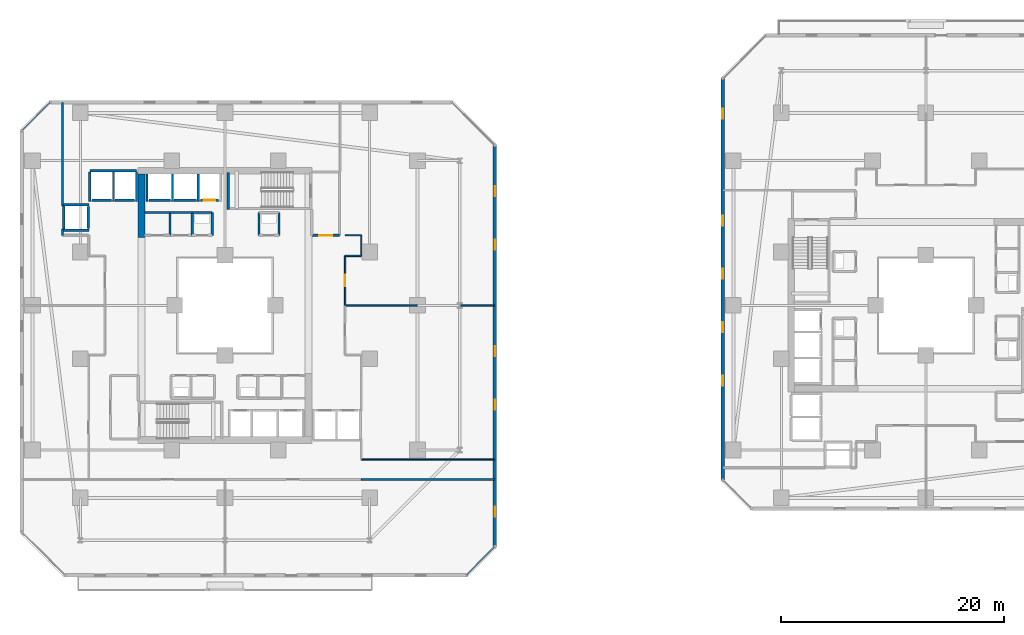
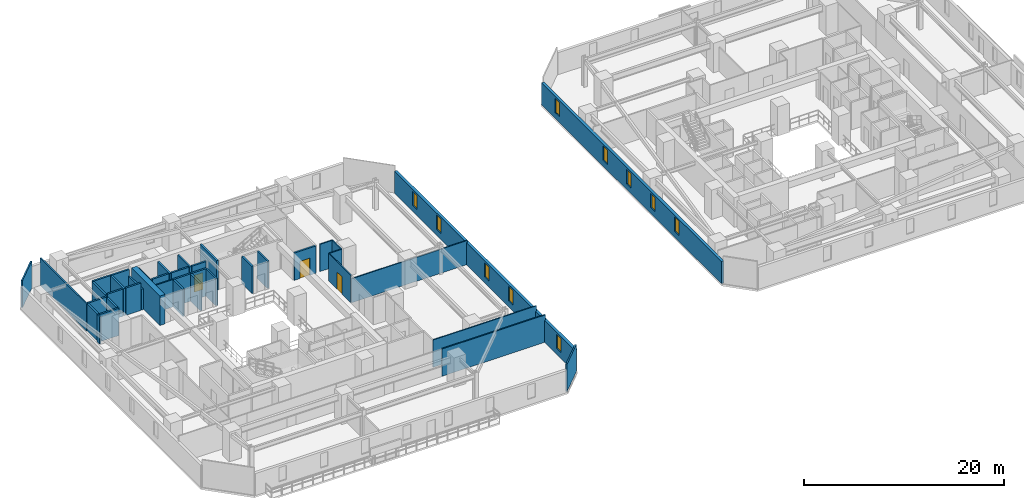
# One storey, part 22 of 34: 40 walls, 10 windows, 3 doors, 13 openings.
"""IFC4 building model written with IfcOpenShell, lengths in metres."""

from ifc_helpers import new_model, si_unit, direction, frame, frame_2d, origin, place, context, subcontext, project, spatial, rectangle, extrude, material, layer, layer_set, type_object, element, fill, save


model = new_model("IFC4")

# Units and contexts
model_context = context("Model", 3, precision=1e-05, world=origin(), true_north=direction((0.0, 1.0)))
body_context = subcontext(model_context, "Body", "Model", "MODEL_VIEW")
ifc_project = project(units=[si_unit("LENGTHUNIT", "METRE"), si_unit("AREAUNIT", "SQUARE_METRE"), si_unit("VOLUMEUNIT", "CUBIC_METRE"), si_unit("PLANEANGLEUNIT", "RADIAN"), si_unit("MASSUNIT", "GRAM", prefix="KILO")], contexts=[model_context])

# Site, building, storey
site_placement = place(None, origin())
site = spatial("IfcSite", under=ifc_project, at=site_placement, CompositionType="ELEMENT")
building_placement = place(site_placement, origin())
building = spatial("IfcBuilding", under=site, at=building_placement, Name="Thornwick Lancets Civic Towers", CompositionType="ELEMENT")
storey_placement = place(building_placement, frame((0.0, 0.0, 53.699951171875)))
storey = spatial("IfcBuildingStorey", under=building, at=storey_placement, Name="L13", CompositionType="ELEMENT", Elevation=53.699951171875)

# Wall, opening, door
ifc_material_1 = material(Name="Concrete blockwork C40/50", Category="masonry")
ifc_layer_1 = layer(ifc_material_1, 0.199951171875, Name="Concrete blockwork C40/50")
ifc_layer_set_1 = layer_set([ifc_layer_1], Name="Concrete blockwork C40/50")
wall_type_1 = type_object("IfcWallType", Name="WALL_COMP_200", PredefinedType="STANDARD", material=ifc_layer_set_1)
wall_1_placement = place(storey_placement, frame((24.919921875, 36.449951171875, 0.0), z_axis=(0.0, 0.0, 1.0), x_axis=(-1.0, 0.0, 0.0)))
wall_1 = element("IfcWall", 1, at=wall_1_placement, inside=storey, type_object=wall_type_1, Name="L13 Hoistway Front Wall FL-A2", PredefinedType="STANDARD", context=body_context, shape_type="SweptSolid", body=[
    extrude(rectangle(XDim=1.639892578125, YDim=0.199951171875, at=frame_2d((0.81982421875, 0.0))), origin(), (0.0, 0.0, 1.0), 3.340087890625),
])
opening_1_placement = place(wall_1_placement, frame((0.31005859375, 0.0, 0.0)))
opening_1 = element("IfcOpeningElement", 2, at=opening_1_placement, cuts=wall_1, Name="Opening LD-FL-A2", PredefinedType="OPENING", context=body_context, shape_type="SweptSolid", body=[
    extrude(rectangle(XDim=1.02001953125, YDim=2.06005859375, at=frame_2d((0.510009765625, 1.030029296875))), frame((0.0, 0.10986328125, 0.0), z_axis=(0.0, -1.0, 0.0), x_axis=(1.0, 0.0, 0.0)), (0.0, 0.0, 1.0), 0.219970703125),
])
ifc_material_2 = material(Name="Brushed bronze stainless steel", Category="steel")
door_type_1 = type_object("IfcDoorType", Name="DOOR_LIFT_SLIDE", OperationType="SLIDING_TO_LEFT", PredefinedType="DOOR", material=ifc_material_2)
door_1_placement = place(opening_1_placement, origin())
door_1 = element("IfcDoor", 3, at=door_1_placement, inside=storey, type_object=door_type_1, Name="L13 Sliding Lift Landing Door LD-FL-A2", OperationType="SLIDING_TO_LEFT", OverallHeight=2.06005859375, OverallWidth=1.02001953125, PredefinedType="DOOR", context=body_context, shape_type="SweptSolid", body=[
    extrude(rectangle(XDim=1.02001953125, YDim=2.06005859375, at=frame_2d((0.510009765625, 1.030029296875))), frame((0.0, 0.02490234375, 0.0), z_axis=(0.0, -1.0, 0.0), x_axis=(1.0, 0.0, 0.0)), (0.0, 0.0, 1.0), 0.050048828125),
])
fill(opening_1, door_1)

# Walls
wall_2_placement = place(storey_placement, frame((22.919921875, 36.449951171875, 0.0), z_axis=(0.0, 0.0, 1.0), x_axis=(-1.0, 0.0, 0.0)))
element("IfcWall", 4, at=wall_2_placement, inside=storey, type_object=wall_type_1, Name="L13 Hoistway Front Wall PL-AH2", PredefinedType="STANDARD", context=body_context, shape_type="SweptSolid", body=[
    extrude(rectangle(XDim=1.989990234375, YDim=0.199951171875, at=frame_2d((0.9951171875, 0.0))), origin(), (0.0, 0.0, 1.0), 3.340087890625),
])
wall_3_placement = place(storey_placement, frame((20.6201171875, 36.449951171875, 0.0), z_axis=(0.0, 0.0, 1.0), x_axis=(-1.0, 0.0, 0.0)))
element("IfcWall", 5, at=wall_3_placement, inside=storey, type_object=wall_type_1, Name="L13 Hoistway Front Wall PL-AH3", PredefinedType="STANDARD", context=body_context, shape_type="SweptSolid", body=[
    extrude(rectangle(XDim=1.940185546875, YDim=0.199951171875, at=frame_2d((0.97021484375, 0.0))), origin(), (0.0, 0.0, 1.0), 3.340087890625),
])
wall_4_placement = place(storey_placement, frame((17.3701171875, 36.449951171875, 0.0), z_axis=(0.0, 0.0, 1.0), x_axis=(-1.0, 0.0, 0.0)))
element("IfcWall", 6, at=wall_4_placement, inside=storey, type_object=wall_type_1, Name="L13 Hoistway Front Wall PL-AM1", PredefinedType="STANDARD", context=body_context, shape_type="SweptSolid", body=[
    extrude(rectangle(XDim=1.740234375, YDim=0.199951171875, at=frame_2d((0.8701171875, 0.0))), origin(), (0.0, 0.0, 1.0), 3.340087890625),
])
wall_5_placement = place(storey_placement, frame((15.320068359375, 36.449951171875, 0.0), z_axis=(0.0, 0.0, 1.0), x_axis=(-1.0, 0.0, 0.0)))
element("IfcWall", 7, at=wall_5_placement, inside=storey, type_object=wall_type_1, Name="L13 Hoistway Front Wall PL-AM2", PredefinedType="STANDARD", context=body_context, shape_type="SweptSolid", body=[
    extrude(rectangle(XDim=1.7900390625, YDim=0.199951171875, at=frame_2d((0.89501953125, 0.0))), origin(), (0.0, 0.0, 1.0), 3.340087890625),
])
wall_6_placement = place(storey_placement, frame((13.199951171875, 33.929931640625, 0.0), z_axis=(0.0, 0.0, 1.0), x_axis=(0.0, 1.0, 0.0)))
element("IfcWall", 8, at=wall_6_placement, inside=storey, type_object=wall_type_1, Name="L13 Hoistway Front Wall PL-AM3", PredefinedType="STANDARD", context=body_context, shape_type="SweptSolid", body=[
    extrude(rectangle(XDim=1.940185546875, YDim=0.199951171875, at=frame_2d((0.97021484375, 0.0))), origin(), (0.0, 0.0, 1.0), 3.340087890625),
])
for number, where, z_axis, x_axis, name in (
    (9, (23.10009765625, 36.35205078125, 0.0), (0.0, 0.0, 1.0), (0.0, 1.0, 0.0), "L13 Hoistway Shaft Wall FL-A2 W"),
    (10, (20.77490234375, 36.35205078125, 0.0), (0.0, 0.0, 1.0), (0.0, 1.0, 0.0), "L13 Hoistway Shaft Wall PL-AH2 W"),
    (11, (18.5, 36.35205078125, 0.0), (0.0, 0.0, 1.0), (0.0, 1.0, 0.0), "L13 Hoistway Shaft Wall PL-AH3 W"),
):
    element("IfcWall", number, at=place(storey_placement, frame(where, z_axis=z_axis, x_axis=x_axis)), inside=storey, type_object=wall_type_1, Name=name, PredefinedType="STANDARD", context=body_context, shape_type="SweptSolid", body=[
        extrude(rectangle(XDim=2.43603515625, YDim=0.199951171875, at=frame_2d((1.218017578125, 0.0))), origin(), (0.0, 0.0, 1.0), 3.340087890625),
    ])
wall_7_placement = place(storey_placement, frame((13.35205078125, 39.10009765625, 0.0), z_axis=(0.0, 0.0, 1.0), x_axis=(1.0, 0.0, 0.0)))
element("IfcWall", 12, at=wall_7_placement, inside=storey, type_object=wall_type_1, Name="L13 Hoistway Shaft Wall PL-AM1 N", PredefinedType="STANDARD", context=body_context, shape_type="SweptSolid", body=[
    extrude(rectangle(XDim=4.196044921875, YDim=0.199951171875, at=frame_2d((2.09814453125, 0.0))), origin(), (0.0, 0.0, 1.0), 3.340087890625),
])
wall_8_placement = place(storey_placement, frame((17.550048828125, 36.35205078125, 0.0), z_axis=(0.0, 0.0, 1.0), x_axis=(0.0, 1.0, 0.0)))
element("IfcWall", 13, at=wall_8_placement, inside=storey, type_object=wall_type_1, Name="L13 Hoistway Shaft Wall PL-AM1 E", PredefinedType="STANDARD", context=body_context, shape_type="SweptSolid", body=[
    extrude(rectangle(XDim=2.635986328125, YDim=0.199951171875, at=frame_2d((1.31787109375, 0.0))), origin(), (0.0, 0.0, 1.0), 2.545166015625),
])
for number, where, z_axis, x_axis, name in (
    (14, (15.47509765625, 36.35205078125, 0.0), (0.0, 0.0, 1.0), (0.0, 1.0, 0.0), "L13 Hoistway Shaft Wall PL-AM1 W"),
    (15, (13.35009765625, 36.35205078125, 0.0), (0.0, 0.0, 1.0), (0.0, 1.0, 0.0), "L13 Hoistway Shaft Wall PL-AM2 W"),
):
    element("IfcWall", number, at=place(storey_placement, frame(where, z_axis=z_axis, x_axis=x_axis)), inside=storey, type_object=wall_type_1, Name=name, PredefinedType="STANDARD", context=body_context, shape_type="SweptSolid", body=[
        extrude(rectangle(XDim=2.635986328125, YDim=0.199951171875, at=frame_2d((1.31787109375, 0.0))), origin(), (0.0, 0.0, 1.0), 3.340087890625),
    ])
for number, where, z_axis, x_axis, name in (
    (16, (11.001953125, 36.050048828125, 0.0), (0.0, 0.0, 1.0), (1.0, 0.0, 0.0), "L13 Hoistway Shaft Wall PL-AM3 N"),
    (17, (11.001953125, 33.75, 0.0), (0.0, 0.0, 1.0), (1.0, 0.0, 0.0), "L13 Hoistway Shaft Wall PL-AM3 S"),
):
    element("IfcWall", number, at=place(storey_placement, frame(where, z_axis=z_axis, x_axis=x_axis)), inside=storey, type_object=wall_type_1, Name=name, PredefinedType="STANDARD", context=body_context, shape_type="SweptSolid", body=[
        extrude(rectangle(XDim=2.296142578125, YDim=0.199951171875, at=frame_2d((1.14794921875, 0.0))), origin(), (0.0, 0.0, 1.0), 3.340087890625),
    ])
wall_9_placement = place(storey_placement, frame((11.0, 33.862060546875, 0.0), z_axis=(0.0, 0.0, 1.0), x_axis=(0.0, 1.0, 0.0)))
element("IfcWall", 18, at=wall_9_placement, inside=storey, type_object=wall_type_1, Name="L13 Hoistway Shaft Wall PL-AM3 W", PredefinedType="STANDARD", context=body_context, shape_type="SweptSolid", body=[
    extrude(rectangle(XDim=2.075927734375, YDim=0.199951171875, at=frame_2d((1.0380859375, 0.0))), origin(), (0.0, 0.0, 1.0), 3.340087890625),
])

# Wall, opening, door
wall_10_placement = place(storey_placement, frame((33.300048828125, 33.300048828125, 0.0), z_axis=(0.0, 0.0, 1.0), x_axis=(1.0, 0.0, 0.0)))
wall_10 = element("IfcWall", 19, at=wall_10_placement, inside=storey, type_object=wall_type_1, Name="L13 Partition L13-A-FFLOB2 E1", PredefinedType="STANDARD", context=body_context, shape_type="SweptSolid", body=[
    extrude(rectangle(XDim=2.5, YDim=0.199951171875, at=frame_2d((1.25, 0.0))), origin(), (0.0, 0.0, 1.0), 3.340087890625),
])
opening_2_placement = place(wall_10_placement, frame((0.675048828125, 0.0, 0.0)))
opening_2 = element("IfcOpeningElement", 20, at=opening_2_placement, cuts=wall_10, Name="Opening D-L13-0626", PredefinedType="OPENING", context=body_context, shape_type="SweptSolid", body=[
    extrude(rectangle(XDim=1.14990234375, YDim=2.10009765625, at=frame_2d((0.574951171875, 1.050048828125))), frame((0.0, 0.10986328125, 0.0), z_axis=(0.0, -1.0, 0.0), x_axis=(1.0, 0.0, 0.0)), (0.0, 0.0, 1.0), 0.219970703125),
])
ifc_material_3 = material(Name="Glazed fire-resisting steel", Category="steel")
door_type_2 = type_object("IfcDoorType", Name="DOOR_LOBBY_FD60", OperationType="NOTDEFINED", PredefinedType="DOOR", material=ifc_material_3)
door_2_placement = place(opening_2_placement, origin())
door_2 = element("IfcDoor", 21, at=door_2_placement, inside=storey, type_object=door_type_2, Name="L13 North Firefighting Lobby 2 Door", OperationType="SINGLE_SWING_LEFT", OverallHeight=2.10009765625, OverallWidth=1.14990234375, PredefinedType="DOOR", context=body_context, shape_type="SweptSolid", body=[
    extrude(rectangle(XDim=1.14990234375, YDim=2.10009765625, at=frame_2d((0.574951171875, 1.050048828125))), frame((0.0, 0.02490234375, 0.0), z_axis=(0.0, -1.0, 0.0), x_axis=(1.0, 0.0, 0.0)), (0.0, 0.0, 1.0), 0.050048828125),
])
fill(opening_2, door_2)

# Walls
wall_11_placement = place(storey_placement, frame((24.35009765625, 33.300048828125, 0.0), z_axis=(0.0, 0.0, 1.0), x_axis=(0.0, 1.0, 0.0)))
element("IfcWall", 22, at=wall_11_placement, inside=storey, type_object=wall_type_1, Name="L13 Partition L13-A-DUCT2 E2", PredefinedType="STANDARD", context=body_context, shape_type="SweptSolid", body=[
    extrude(rectangle(XDim=2.050048828125, YDim=0.199951171875, at=frame_2d((1.02490234375, 0.0))), origin(), (0.0, 0.0, 1.0), 3.340087890625),
])
wall_12_placement = place(storey_placement, frame((24.35009765625, 35.35009765625, 0.0), z_axis=(0.0, 0.0, 1.0), x_axis=(-1.0, 0.0, 0.0)))
element("IfcWall", 23, at=wall_12_placement, inside=storey, type_object=wall_type_1, Name="L13 Partition L13-A-DUCT2 E3", PredefinedType="STANDARD", context=body_context, shape_type="SweptSolid", body=[
    extrude(rectangle(XDim=1.800048828125, YDim=0.199951171875, at=frame_2d((0.89990234375, 0.0))), origin(), (0.0, 0.0, 1.0), 3.340087890625),
])
for number, where, z_axis, x_axis, name in (
    (24, (22.550048828125, 35.35009765625, 0.0), (0.0, 0.0, 1.0), (0.0, -1.0, 0.0), "L13 Partition L13-A-DUCT2 E4"),
    (25, (30.35009765625, 33.300048828125, 0.0), (0.0, 0.0, 1.0), (0.0, 1.0, 0.0), "L13 Partition L13-A-RISER2 E2"),
    (26, (28.550048828125, 35.35009765625, 0.0), (0.0, 0.0, 1.0), (0.0, -1.0, 0.0), "L13 Partition L13-A-RISER2 E4"),
    (27, (20.550048828125, 33.300048828125, 0.0), (0.0, 0.0, 1.0), (0.0, 1.0, 0.0), "L13 Partition L13-A-STR E1"),
):
    element("IfcWall", number, at=place(storey_placement, frame(where, z_axis=z_axis, x_axis=x_axis)), inside=storey, type_object=wall_type_1, Name=name, PredefinedType="STANDARD", context=body_context, shape_type="SweptSolid", body=[
        extrude(rectangle(XDim=2.050048828125, YDim=0.199951171875, at=frame_2d((1.02490234375, 0.0))), origin(), (0.0, 0.0, 1.0), 3.340087890625),
    ])
wall_13_placement = place(storey_placement, frame((20.550048828125, 35.35009765625, 0.0), z_axis=(0.0, 0.0, 1.0), x_axis=(1.0, 0.0, 0.0)))
element("IfcWall", 28, at=wall_13_placement, inside=storey, type_object=wall_type_1, Name="L13 Partition L13-A-STR E2", PredefinedType="STANDARD", context=body_context, shape_type="SweptSolid", body=[
    extrude(rectangle(XDim=2.0, YDim=0.199951171875, at=frame_2d((1.0, 0.0))), origin(), (0.0, 0.0, 1.0), 3.340087890625),
])
ifc_material_4 = material(Name="Concrete C60/75", Category="concrete")
ifc_layer_2 = layer(ifc_material_4, 0.60009765625, Name="Concrete C60/75")
ifc_layer_set_2 = layer_set([ifc_layer_2], Name="Concrete C60/75")
wall_type_2 = type_object("IfcWallType", Name="WALL_CORE_600", PredefinedType="SHEAR", material=ifc_layer_set_2)
wall_14_placement = place(storey_placement, frame((18.0, 33.10009765625, 0.0), z_axis=(0.0, 0.0, 1.0), x_axis=(0.0, 1.0, 0.0)))
element("IfcWall", 29, at=wall_14_placement, inside=storey, type_object=wall_type_2, Name="L13 Split Core A2 Shear Wall W", PredefinedType="SHEAR", context=body_context, shape_type="SweptSolid", body=[
    extrude(rectangle(XDim=5.699951171875, YDim=0.60009765625, at=frame_2d((2.85009765625, 0.0))), origin(), (0.0, 0.0, 1.0), 3.60009765625),
])

# Wall, openings, windows
ifc_material_5 = material(Name="Insulated buff terracotta rainscreen on concrete C40/50", Category="masonry")
ifc_layer_3 = layer(ifc_material_5, 0.320068359375, Name="Insulated buff terracotta rainscreen on concrete C40/50")
ifc_layer_set_3 = layer_set([ifc_layer_3], Name="Insulated buff terracotta rainscreen on concrete C40/50")
wall_type_3 = type_object("IfcWallType", Name="WALL_EXT_TERRA_320", PredefinedType="STANDARD", material=ifc_layer_set_3)
wall_15_placement = place(storey_placement, frame((49.764892578125, 5.31884765625, 0.0), z_axis=(0.0, 0.0, 1.0), x_axis=(-0.000121872777, 0.999999992574, 0.0)))
wall_15 = element("IfcWall", 30, at=wall_15_placement, inside=storey, type_object=wall_type_3, Name="L13 Tower A Terracotta Facade Wall E2", PredefinedType="STANDARD", context=body_context, shape_type="SweptSolid", body=[
    extrude(rectangle(XDim=36.058349609375, YDim=0.320068359375, at=frame_2d((18.029296875, 0.0))), origin(), (0.0, 0.0, 1.0), 2.699951171875),
])
opening_3_placement = place(wall_15_placement, frame((2.699951171875, 0.0, 0.719970703125)))
opening_3 = element("IfcOpeningElement", 31, at=opening_3_placement, cuts=wall_15, Name="Opening WL-01", PredefinedType="OPENING", context=body_context, shape_type="SweptSolid", body=[
    extrude(rectangle(XDim=0.89990234375, YDim=1.75, at=frame_2d((0.449951171875, 0.875))), frame((0.0, 0.169921875, 0.0), z_axis=(0.0, -1.0, 0.0), x_axis=(1.0, 0.0, 0.0)), (0.0, 0.0, 1.0), 0.340087890625),
])
opening_4_placement = place(wall_15_placement, frame((12.300048828125, 0.0, 0.719970703125)))
opening_4 = element("IfcOpeningElement", 32, at=opening_4_placement, cuts=wall_15, Name="Opening WL-01", PredefinedType="OPENING", context=body_context, shape_type="SweptSolid", body=[
    extrude(rectangle(XDim=0.89990234375, YDim=1.75, at=frame_2d((0.449951171875, 0.875))), frame((0.0, 0.169921875, 0.0), z_axis=(0.0, -1.0, 0.0), x_axis=(1.0, 0.0, 0.0)), (0.0, 0.0, 1.0), 0.340087890625),
])
opening_5_placement = place(wall_15_placement, frame((17.10009765625, 0.0, 0.719970703125)))
opening_5 = element("IfcOpeningElement", 33, at=opening_5_placement, cuts=wall_15, Name="Opening WL-01", PredefinedType="OPENING", context=body_context, shape_type="SweptSolid", body=[
    extrude(rectangle(XDim=0.89990234375, YDim=1.75, at=frame_2d((0.449951171875, 0.875))), frame((0.0, 0.169921875, 0.0), z_axis=(0.0, -1.0, 0.0), x_axis=(1.0, 0.0, 0.0)), (0.0, 0.0, 1.0), 0.340087890625),
])
opening_6_placement = place(wall_15_placement, frame((26.699951171875, 0.0, 0.719970703125)))
opening_6 = element("IfcOpeningElement", 34, at=opening_6_placement, cuts=wall_15, Name="Opening WL-01", PredefinedType="OPENING", context=body_context, shape_type="SweptSolid", body=[
    extrude(rectangle(XDim=0.89990234375, YDim=1.75, at=frame_2d((0.449951171875, 0.875))), frame((0.0, 0.169921875, 0.0), z_axis=(0.0, -1.0, 0.0), x_axis=(1.0, 0.0, 0.0)), (0.0, 0.0, 1.0), 0.340087890625),
])
opening_7_placement = place(wall_15_placement, frame((31.5, 0.0, 0.719970703125)))
opening_7 = element("IfcOpeningElement", 35, at=opening_7_placement, cuts=wall_15, Name="Opening WL-01", PredefinedType="OPENING", context=body_context, shape_type="SweptSolid", body=[
    extrude(rectangle(XDim=0.89990234375, YDim=1.75, at=frame_2d((0.449951171875, 0.875))), frame((0.0, 0.169921875, 0.0), z_axis=(0.0, -1.0, 0.0), x_axis=(1.0, 0.0, 0.0)), (0.0, 0.0, 1.0), 0.340087890625),
])
ifc_material_6 = material(Name="Clear low-e double glazing in bronze frame", Category="glass")
window_type = type_object("IfcWindowType", Name="WIN_LANCET_900", PartitioningType="SINGLE_PANEL", PredefinedType="WINDOW", material=ifc_material_6)
window_1_placement = place(opening_3_placement, origin())
window_1 = element("IfcWindow", 36, at=window_1_placement, inside=storey, type_object=window_type, Name="L13 Tower A Staggered Lancet Window E2-1", OverallHeight=1.75, OverallWidth=0.89990234375, PartitioningType="SINGLE_PANEL", PredefinedType="WINDOW", context=body_context, shape_type="SweptSolid", body=[
    extrude(rectangle(XDim=0.89990234375, YDim=1.75, at=frame_2d((0.449951171875, 0.875))), frame((0.0, 0.030029296875, 0.0), z_axis=(0.0, -1.0, 0.0), x_axis=(1.0, 0.0, 0.0)), (0.0, 0.0, 1.0), 0.06005859375),
])
fill(opening_3, window_1)
window_2_placement = place(opening_4_placement, origin())
window_2 = element("IfcWindow", 37, at=window_2_placement, inside=storey, type_object=window_type, Name="L13 Tower A Staggered Lancet Window E2-2", OverallHeight=1.75, OverallWidth=0.89990234375, PartitioningType="SINGLE_PANEL", PredefinedType="WINDOW", context=body_context, shape_type="SweptSolid", body=[
    extrude(rectangle(XDim=0.89990234375, YDim=1.75, at=frame_2d((0.449951171875, 0.875))), frame((0.0, 0.030029296875, 0.0), z_axis=(0.0, -1.0, 0.0), x_axis=(1.0, 0.0, 0.0)), (0.0, 0.0, 1.0), 0.06005859375),
])
fill(opening_4, window_2)
window_3_placement = place(opening_5_placement, origin())
window_3 = element("IfcWindow", 38, at=window_3_placement, inside=storey, type_object=window_type, Name="L13 Tower A Staggered Lancet Window E2-3", OverallHeight=1.75, OverallWidth=0.89990234375, PartitioningType="SINGLE_PANEL", PredefinedType="WINDOW", context=body_context, shape_type="SweptSolid", body=[
    extrude(rectangle(XDim=0.89990234375, YDim=1.75, at=frame_2d((0.449951171875, 0.875))), frame((0.0, 0.030029296875, 0.0), z_axis=(0.0, -1.0, 0.0), x_axis=(1.0, 0.0, 0.0)), (0.0, 0.0, 1.0), 0.06005859375),
])
fill(opening_5, window_3)
window_4_placement = place(opening_6_placement, origin())
window_4 = element("IfcWindow", 39, at=window_4_placement, inside=storey, type_object=window_type, Name="L13 Tower A Staggered Lancet Window E2-4", OverallHeight=1.75, OverallWidth=0.89990234375, PartitioningType="SINGLE_PANEL", PredefinedType="WINDOW", context=body_context, shape_type="SweptSolid", body=[
    extrude(rectangle(XDim=0.89990234375, YDim=1.75, at=frame_2d((0.449951171875, 0.875))), frame((0.0, 0.030029296875, 0.0), z_axis=(0.0, -1.0, 0.0), x_axis=(1.0, 0.0, 0.0)), (0.0, 0.0, 1.0), 0.06005859375),
])
fill(opening_6, window_4)
window_5_placement = place(opening_7_placement, origin())
window_5 = element("IfcWindow", 40, at=window_5_placement, inside=storey, type_object=window_type, Name="L13 Tower A Staggered Lancet Window E2-5", OverallHeight=1.75, OverallWidth=0.89990234375, PartitioningType="SINGLE_PANEL", PredefinedType="WINDOW", context=body_context, shape_type="SweptSolid", body=[
    extrude(rectangle(XDim=0.89990234375, YDim=1.75, at=frame_2d((0.449951171875, 0.875))), frame((0.0, 0.030029296875, 0.0), z_axis=(0.0, -1.0, 0.0), x_axis=(1.0, 0.0, 0.0)), (0.0, 0.0, 1.0), 0.06005859375),
])
fill(opening_7, window_5)

wall_16_placement = place(storey_placement, frame((70.239501953125, 47.377197265625, 0.0), z_axis=(0.0, 0.0, 1.0), x_axis=(-0.000121872777, -0.999999992574, 0.0)))
wall_16 = element("IfcWall", 41, at=wall_16_placement, inside=storey, type_object=wall_type_3, Name="L13 Tower B Terracotta Facade Wall E6", PredefinedType="STANDARD", context=body_context, shape_type="SweptSolid", body=[
    extrude(rectangle(XDim=36.058349609375, YDim=0.320068359375, at=frame_2d((18.029296875, 0.0))), origin(), (0.0, 0.0, 1.0), 2.699951171875),
])
opening_8_placement = place(wall_16_placement, frame((2.699951171875, 0.0, 0.719970703125)))
opening_8 = element("IfcOpeningElement", 42, at=opening_8_placement, cuts=wall_16, Name="Opening WL-01", PredefinedType="OPENING", context=body_context, shape_type="SweptSolid", body=[
    extrude(rectangle(XDim=0.89990234375, YDim=1.75, at=frame_2d((0.449951171875, 0.875))), frame((0.0, 0.169921875, 0.0), z_axis=(0.0, -1.0, 0.0), x_axis=(1.0, 0.0, 0.0)), (0.0, 0.0, 1.0), 0.340087890625),
])
opening_9_placement = place(wall_16_placement, frame((12.300048828125, 0.0, 0.719970703125)))
opening_9 = element("IfcOpeningElement", 43, at=opening_9_placement, cuts=wall_16, Name="Opening WL-01", PredefinedType="OPENING", context=body_context, shape_type="SweptSolid", body=[
    extrude(rectangle(XDim=0.89990234375, YDim=1.75, at=frame_2d((0.449951171875, 0.875))), frame((0.0, 0.169921875, 0.0), z_axis=(0.0, -1.0, 0.0), x_axis=(1.0, 0.0, 0.0)), (0.0, 0.0, 1.0), 0.340087890625),
])
opening_10_placement = place(wall_16_placement, frame((17.10009765625, 0.0, 0.719970703125)))
opening_10 = element("IfcOpeningElement", 44, at=opening_10_placement, cuts=wall_16, Name="Opening WL-01", PredefinedType="OPENING", context=body_context, shape_type="SweptSolid", body=[
    extrude(rectangle(XDim=0.89990234375, YDim=1.75, at=frame_2d((0.449951171875, 0.875))), frame((0.0, 0.169921875, 0.0), z_axis=(0.0, -1.0, 0.0), x_axis=(1.0, 0.0, 0.0)), (0.0, 0.0, 1.0), 0.340087890625),
])
opening_11_placement = place(wall_16_placement, frame((21.89990234375, 0.0, 0.719970703125)))
opening_11 = element("IfcOpeningElement", 45, at=opening_11_placement, cuts=wall_16, Name="Opening WL-01", PredefinedType="OPENING", context=body_context, shape_type="SweptSolid", body=[
    extrude(rectangle(XDim=0.89990234375, YDim=1.75, at=frame_2d((0.449951171875, 0.875))), frame((0.0, 0.169921875, 0.0), z_axis=(0.0, -1.0, 0.0), x_axis=(1.0, 0.0, 0.0)), (0.0, 0.0, 1.0), 0.340087890625),
])
opening_12_placement = place(wall_16_placement, frame((26.699951171875, 0.0, 0.719970703125)))
opening_12 = element("IfcOpeningElement", 46, at=opening_12_placement, cuts=wall_16, Name="Opening WL-01", PredefinedType="OPENING", context=body_context, shape_type="SweptSolid", body=[
    extrude(rectangle(XDim=0.89990234375, YDim=1.75, at=frame_2d((0.449951171875, 0.875))), frame((0.0, 0.169921875, 0.0), z_axis=(0.0, -1.0, 0.0), x_axis=(1.0, 0.0, 0.0)), (0.0, 0.0, 1.0), 0.340087890625),
])
window_6_placement = place(opening_8_placement, origin())
window_6 = element("IfcWindow", 47, at=window_6_placement, inside=storey, type_object=window_type, Name="L13 Tower B Staggered Lancet Window E6-1", OverallHeight=1.75, OverallWidth=0.89990234375, PartitioningType="SINGLE_PANEL", PredefinedType="WINDOW", context=body_context, shape_type="SweptSolid", body=[
    extrude(rectangle(XDim=0.89990234375, YDim=1.75, at=frame_2d((0.449951171875, 0.875))), frame((0.0, 0.030029296875, 0.0), z_axis=(0.0, -1.0, 0.0), x_axis=(1.0, 0.0, 0.0)), (0.0, 0.0, 1.0), 0.06005859375),
])
fill(opening_8, window_6)
window_7_placement = place(opening_9_placement, origin())
window_7 = element("IfcWindow", 48, at=window_7_placement, inside=storey, type_object=window_type, Name="L13 Tower B Staggered Lancet Window E6-2", OverallHeight=1.75, OverallWidth=0.89990234375, PartitioningType="SINGLE_PANEL", PredefinedType="WINDOW", context=body_context, shape_type="SweptSolid", body=[
    extrude(rectangle(XDim=0.89990234375, YDim=1.75, at=frame_2d((0.449951171875, 0.875))), frame((0.0, 0.030029296875, 0.0), z_axis=(0.0, -1.0, 0.0), x_axis=(1.0, 0.0, 0.0)), (0.0, 0.0, 1.0), 0.06005859375),
])
fill(opening_9, window_7)
window_8_placement = place(opening_10_placement, origin())
window_8 = element("IfcWindow", 49, at=window_8_placement, inside=storey, type_object=window_type, Name="L13 Tower B Staggered Lancet Window E6-3", OverallHeight=1.75, OverallWidth=0.89990234375, PartitioningType="SINGLE_PANEL", PredefinedType="WINDOW", context=body_context, shape_type="SweptSolid", body=[
    extrude(rectangle(XDim=0.89990234375, YDim=1.75, at=frame_2d((0.449951171875, 0.875))), frame((0.0, 0.030029296875, 0.0), z_axis=(0.0, -1.0, 0.0), x_axis=(1.0, 0.0, 0.0)), (0.0, 0.0, 1.0), 0.06005859375),
])
fill(opening_10, window_8)
window_9_placement = place(opening_11_placement, origin())
window_9 = element("IfcWindow", 50, at=window_9_placement, inside=storey, type_object=window_type, Name="L13 Tower B Staggered Lancet Window E6-4", OverallHeight=1.75, OverallWidth=0.89990234375, PartitioningType="SINGLE_PANEL", PredefinedType="WINDOW", context=body_context, shape_type="SweptSolid", body=[
    extrude(rectangle(XDim=0.89990234375, YDim=1.75, at=frame_2d((0.449951171875, 0.875))), frame((0.0, 0.030029296875, 0.0), z_axis=(0.0, -1.0, 0.0), x_axis=(1.0, 0.0, 0.0)), (0.0, 0.0, 1.0), 0.06005859375),
])
fill(opening_11, window_9)
window_10_placement = place(opening_12_placement, origin())
window_10 = element("IfcWindow", 51, at=window_10_placement, inside=storey, type_object=window_type, Name="L13 Tower B Staggered Lancet Window E6-5", OverallHeight=1.75, OverallWidth=0.89990234375, PartitioningType="SINGLE_PANEL", PredefinedType="WINDOW", context=body_context, shape_type="SweptSolid", body=[
    extrude(rectangle(XDim=0.89990234375, YDim=1.75, at=frame_2d((0.449951171875, 0.875))), frame((0.0, 0.030029296875, 0.0), z_axis=(0.0, -1.0, 0.0), x_axis=(1.0, 0.0, 0.0)), (0.0, 0.0, 1.0), 0.06005859375),
])
fill(opening_12, window_10)

# Walls
ifc_material_7 = material(Name="Acoustic gypsum board partition")
ifc_layer_4 = layer(ifc_material_7, 0.1201171875, Name="Acoustic gypsum board partition")
ifc_layer_set_4 = layer_set([ifc_layer_4], Name="Acoustic gypsum board partition")
wall_type_4 = type_object("IfcWallType", Name="WALL_PART_120", PredefinedType="PARTITIONING", material=ifc_layer_set_4)
wall_17_placement = place(storey_placement, frame((36.300048828125, 27.0, 0.0), z_axis=(0.0, 0.0, 1.0), x_axis=(1.0, 0.0, 0.0)))
element("IfcWall", 52, at=wall_17_placement, inside=storey, type_object=wall_type_4, Name="L13 Partition L13-A-E1 E5", PredefinedType="PARTITIONING", context=body_context, shape_type="SweptSolid", body=[
    extrude(rectangle(XDim=13.419921875, YDim=0.1201171875, at=frame_2d((6.7099609375, 0.0))), origin(), (0.0, 0.0, 1.0), 2.93212890625),
])
wall_18_placement = place(storey_placement, frame((49.719970703125, 13.14990234375, 0.0), z_axis=(0.0, 0.0, 1.0), x_axis=(-1.0, 0.0, 0.0)))
element("IfcWall", 53, at=wall_18_placement, inside=storey, type_object=wall_type_4, Name="L13 Partition L13-A-E1 E7", PredefinedType="PARTITIONING", context=body_context, shape_type="SweptSolid", body=[
    extrude(rectangle(XDim=11.969970703125, YDim=0.1201171875, at=frame_2d((5.98486328125, 0.0))), origin(), (0.0, 0.0, 1.0), 3.340087890625),
])
wall_19_placement = place(storey_placement, frame((36.300048828125, 31.449951171875, 0.0), z_axis=(0.0, 0.0, 1.0), x_axis=(1.0, 0.0, 0.0)))
element("IfcWall", 54, at=wall_19_placement, inside=storey, type_object=wall_type_4, Name="L13 Partition L13-A-E2 E1", PredefinedType="PARTITIONING", context=body_context, shape_type="SweptSolid", body=[
    extrude(rectangle(XDim=1.449951171875, YDim=0.1201171875, at=frame_2d((0.72509765625, 0.0))), origin(), (0.0, 0.0, 1.0), 3.340087890625),
])
wall_20_placement = place(storey_placement, frame((37.75, 31.449951171875, 0.0), z_axis=(0.0, 0.0, 1.0), x_axis=(0.0, 1.0, 0.0)))
element("IfcWall", 55, at=wall_20_placement, inside=storey, type_object=wall_type_4, Name="L13 Partition L13-A-E2 E2", PredefinedType="PARTITIONING", context=body_context, shape_type="SweptSolid", body=[
    extrude(rectangle(XDim=1.85009765625, YDim=0.1201171875, at=frame_2d((0.925048828125, 0.0))), origin(), (0.0, 0.0, 1.0), 3.340087890625),
])
wall_21_placement = place(storey_placement, frame((37.75, 33.300048828125, 0.0), z_axis=(0.0, 0.0, 1.0), x_axis=(-1.0, 0.0, 0.0)))
element("IfcWall", 56, at=wall_21_placement, inside=storey, type_object=wall_type_4, Name="L13 Partition L13-A-E2 E3", PredefinedType="PARTITIONING", context=body_context, shape_type="SweptSolid", body=[
    extrude(rectangle(XDim=1.449951171875, YDim=0.1201171875, at=frame_2d((0.72509765625, 0.0))), origin(), (0.0, 0.0, 1.0), 3.340087890625),
])

# Wall, opening, door
wall_22_placement = place(storey_placement, frame((36.300048828125, 27.0, 0.0), z_axis=(0.0, 0.0, 1.0), x_axis=(0.0, 1.0, 0.0)))
wall_22 = element("IfcWall", 57, at=wall_22_placement, inside=storey, type_object=wall_type_4, Name="L13 Partition L13-A-E2 E10", PredefinedType="PARTITIONING", context=body_context, shape_type="SweptSolid", body=[
    extrude(rectangle(XDim=4.449951171875, YDim=0.1201171875, at=frame_2d((2.22509765625, 0.0))), origin(), (0.0, 0.0, 1.0), 3.340087890625),
])
opening_13_placement = place(wall_22_placement, frame((1.699951171875, 0.0, 0.0)))
opening_13 = element("IfcOpeningElement", 58, at=opening_13_placement, cuts=wall_22, Name="Opening D-L13-0650", PredefinedType="OPENING", context=body_context, shape_type="SweptSolid", body=[
    extrude(rectangle(XDim=1.050048828125, YDim=2.10009765625, at=frame_2d((0.52490234375, 1.050048828125))), frame((0.0, 0.070068359375, 0.0), z_axis=(0.0, -1.0, 0.0), x_axis=(1.0, 0.0, 0.0)), (0.0, 0.0, 1.0), 0.14013671875),
])
ifc_material_8 = material(Name="Glazed European oak executive doorset")
door_type_3 = type_object("IfcDoorType", Name="DOOR_OFFICE_1050", OperationType="NOTDEFINED", PredefinedType="DOOR", material=ifc_material_8)
door_3_placement = place(opening_13_placement, origin())
door_3 = element("IfcDoor", 59, at=door_3_placement, inside=storey, type_object=door_type_3, Name="L13 Tower A Visitors Reception and Waiting Door", OperationType="SINGLE_SWING_LEFT", OverallHeight=2.10009765625, OverallWidth=1.050048828125, PredefinedType="DOOR", context=body_context, shape_type="SweptSolid", body=[
    extrude(rectangle(XDim=1.050048828125, YDim=2.10009765625, at=frame_2d((0.52490234375, 1.050048828125))), frame((0.0, 0.02490234375, 0.0), z_axis=(0.0, -1.0, 0.0), x_axis=(1.0, 0.0, 0.0)), (0.0, 0.0, 1.0), 0.050048828125),
])
fill(opening_13, door_3)

# Walls
ifc_material_9 = material(Name="Twin-stud acoustic gypsum board")
ifc_layer_5 = layer(ifc_material_9, 0.14990234375, Name="Twin-stud acoustic gypsum board")
ifc_layer_set_5 = layer_set([ifc_layer_5], Name="Twin-stud acoustic gypsum board")
wall_type_5 = type_object("IfcWallType", Name="WALL_PART_150", PredefinedType="PARTITIONING", material=ifc_layer_set_5)
wall_23_placement = place(storey_placement, frame((20.550048828125, 35.35009765625, 0.0), z_axis=(0.0, 0.0, 1.0), x_axis=(-1.0, 0.0, 0.0)))
element("IfcWall", 60, at=wall_23_placement, inside=storey, type_object=wall_type_5, Name="L13 Partition L13-A-AWC E3", PredefinedType="PARTITIONING", context=body_context, shape_type="SweptSolid", body=[
    extrude(rectangle(XDim=2.25, YDim=0.14990234375, at=frame_2d((1.125, 0.0))), origin(), (0.0, 0.0, 1.0), 3.340087890625),
])
wall_24_placement = place(storey_placement, frame((7.280029296875, 42.725341796875, 0.0), z_axis=(0.0, 0.0, 1.0), x_axis=(0.707106781187, 0.707106781187, 0.0)))
element("IfcWall", 61, at=wall_24_placement, inside=storey, type_object=wall_type_5, Name="L13 Partition L13-A-W2 E7", PredefinedType="PARTITIONING", context=body_context, shape_type="SweptSolid", body=[
    extrude(rectangle(XDim=3.52783203125, YDim=0.14990234375, at=frame_2d((1.763916015625, 0.0))), origin(), (0.0, 0.0, 1.0), 3.340087890625),
])
wall_25_placement = place(storey_placement, frame((10.89990234375, 45.219970703125, 0.0), z_axis=(0.0, 0.0, 1.0), x_axis=(0.0, -1.0, 0.0)))
element("IfcWall", 62, at=wall_25_placement, inside=storey, type_object=wall_type_5, Name="L13 Partition L13-A-W2 E9", PredefinedType="PARTITIONING", context=body_context, shape_type="SweptSolid", body=[
    extrude(rectangle(XDim=9.281982421875, YDim=0.14990234375, at=frame_2d((4.64111328125, 0.0))), origin(), (0.0, 0.0, 1.0), 3.340087890625),
])
wall_26_placement = place(storey_placement, frame((10.89990234375, 33.862060546875, 0.0), z_axis=(0.0, 0.0, 1.0), x_axis=(0.0, -1.0, 0.0)))
element("IfcWall", 63, at=wall_26_placement, inside=storey, type_object=wall_type_5, Name="L13 Partition L13-A-W2 E9", PredefinedType="PARTITIONING", context=body_context, shape_type="SweptSolid", body=[
    extrude(rectangle(XDim=0.56201171875, YDim=0.14990234375, at=frame_2d((0.281005859375, 0.0))), origin(), (0.0, 0.0, 1.0), 3.340087890625),
])
wall_27_placement = place(storey_placement, frame((37.75, 11.35009765625, 0.0), z_axis=(0.0, 0.0, 1.0), x_axis=(1.0, 0.0, 0.0)))
element("IfcWall", 64, at=wall_27_placement, inside=storey, type_object=wall_type_5, Name="L13 Partition L13-A-S-ARCH E4", PredefinedType="PARTITIONING", context=body_context, shape_type="SweptSolid", body=[
    extrude(rectangle(XDim=11.969970703125, YDim=0.14990234375, at=frame_2d((5.98486328125, 0.0))), origin(), (0.0, 0.0, 1.0), 3.340087890625),
])
wall_28_placement = place(storey_placement, frame((49.719970703125, 5.274658203125, 0.0), z_axis=(0.0, 0.0, 1.0), x_axis=(-0.707106781187, -0.707106781187, 0.0)))
element("IfcWall", 65, at=wall_28_placement, inside=storey, type_object=wall_type_5, Name="L13 Partition L13-A-S-ARCH E6", PredefinedType="PARTITIONING", context=body_context, shape_type="SweptSolid", body=[
    extrude(rectangle(XDim=3.52783203125, YDim=0.14990234375, at=frame_2d((1.763916015625, 0.0))), origin(), (0.0, 0.0, 1.0), 3.340087890625),
])
ifc_material_10 = material(Name="Concrete C40/50", Category="concrete")
ifc_layer_6 = layer(ifc_material_10, 0.199951171875, Name="Concrete C40/50")
ifc_layer_set_6 = layer_set([ifc_layer_6], Name="Concrete C40/50")
wall_type_6 = type_object("IfcWallType", Name="WALL_SHAFT_200", PredefinedType="SHEAR", material=ifc_layer_set_6)
wall_29_placement = place(storey_placement, frame((25.800048828125, 35.60009765625, 0.0), z_axis=(0.0, 0.0, 1.0), x_axis=(0.0, 1.0, 0.0)))
element("IfcWall", 66, at=wall_29_placement, inside=storey, type_object=wall_type_6, Name="L13 ST-A2 Fire Stair Core Wall FAR", PredefinedType="SHEAR", context=body_context, shape_type="SweptSolid", body=[
    extrude(rectangle(XDim=3.349853515625, YDim=0.199951171875, at=frame_2d((1.6748046875, 0.0))), origin(), (0.0, 0.0, 1.0), 3.60009765625),
])

save(model, "model.ifc")
